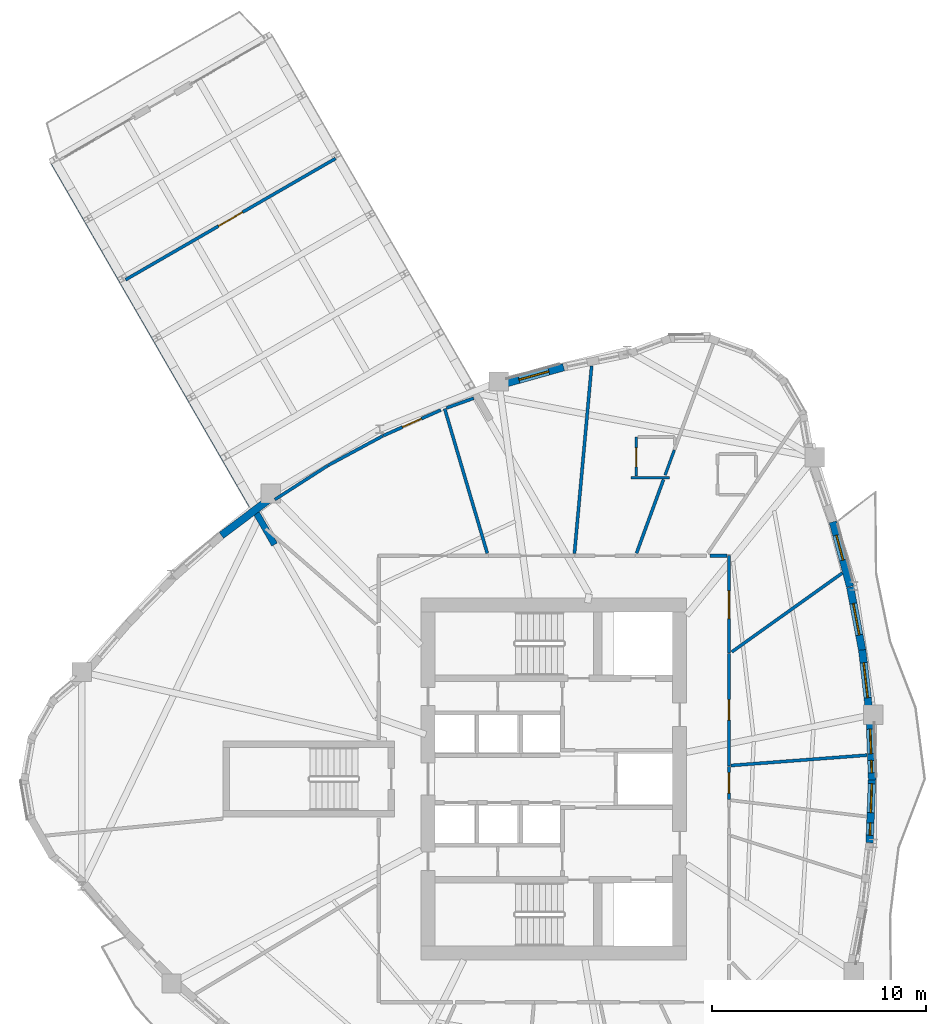
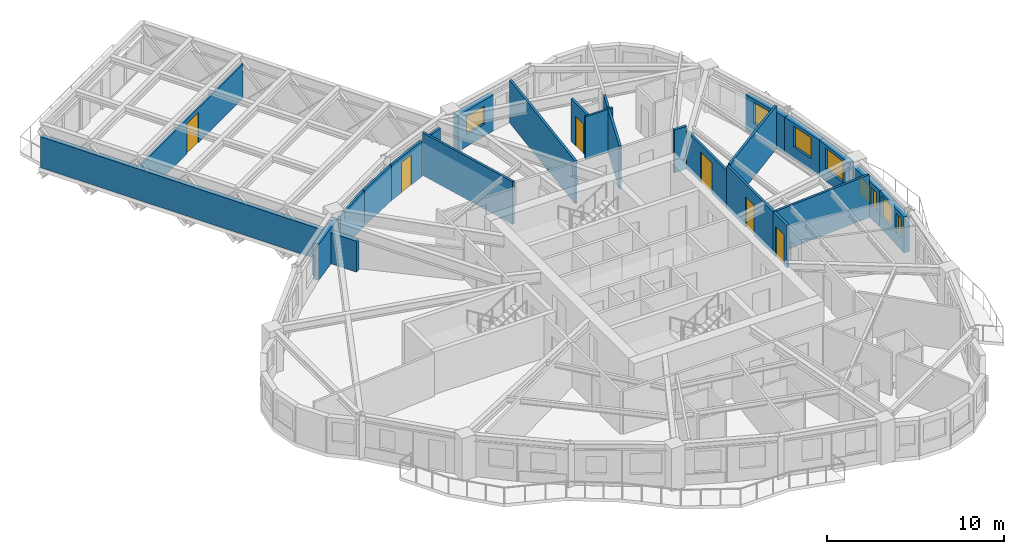
# One storey, part 9 of 14: 25 walls, 8 windows, 6 doors, 14 openings.
"""IFC4 building model written with IfcOpenShell, lengths in metres."""

from ifc_helpers import new_model, si_unit, direction, frame, frame_2d, origin, place, context, subcontext, project, spatial, rectangle, extrude, source, transform, mapped, material, layer, layer_set, type_object, element, fill, save


model = new_model("IFC4")

# Units and contexts
model_context = context("Model", 3, precision=1e-05, world=origin(), true_north=direction((0.0, 1.0)))
body_context = subcontext(model_context, "Body", "Model", "MODEL_VIEW")
ifc_project = project(units=[si_unit("LENGTHUNIT", "METRE"), si_unit("AREAUNIT", "SQUARE_METRE"), si_unit("VOLUMEUNIT", "CUBIC_METRE"), si_unit("PLANEANGLEUNIT", "RADIAN"), si_unit("MASSUNIT", "GRAM", prefix="KILO")], contexts=[model_context])

# Site, building, storey
site_placement = place(None, origin())
site = spatial("IfcSite", under=ifc_project, at=site_placement, CompositionType="ELEMENT")
building_placement = place(site_placement, origin())
building = spatial("IfcBuilding", under=site, at=building_placement, Name="Qafzar Sky-Pleat Residences", CompositionType="ELEMENT")
storey_placement = place(building_placement, frame((0.0, 0.0, 86.39990234375)))
storey = spatial("IfcBuildingStorey", under=building, at=storey_placement, Name="L25", CompositionType="ELEMENT", Elevation=86.39990234375)

# Wall, opening, door
ifc_material_1 = material(Name="Acoustic gypsum plasterboard partition", Category="gypsum")
ifc_layer_1 = layer(ifc_material_1, 0.159912109375)
ifc_layer_set_1 = layer_set([ifc_layer_1], Name="Acoustic gypsum plasterboard partition")
wall_type_1 = type_object("IfcWallType", Name="PART-COR-160", PredefinedType="PARTITIONING", material=ifc_layer_set_1)
wall_1_placement = place(storey_placement, frame((38.530029296875, 31.85595703125, 0.0), z_axis=(0.0, 0.0, 1.0), x_axis=(0.0, -1.0, 0.0)))
wall_1 = element("IfcWall", 1, at=wall_1_placement, inside=storey, type_object=wall_type_1, Name="L25 Partition Wall PART-L25-PW-005", PredefinedType="PARTITIONING", context=body_context, shape_type="SweptSolid", body=[
    extrude(rectangle(XDim=5.2490234375, YDim=0.159912109375, at=frame_2d((2.62451171875, 0.0))), origin(), (0.0, 0.0, 1.0), 2.9501953125),
])
opening_1_placement = place(wall_1_placement, frame((2.14599609375, 0.0, 0.0)))
opening_1 = element("IfcOpeningElement", 2, at=opening_1_placement, cuts=wall_1, Name="Opening ID-06", PredefinedType="OPENING", context=body_context, shape_type="SweptSolid", body=[
    extrude(rectangle(XDim=0.9599609375, YDim=2.10009765625, at=frame_2d((0.47998046875, 1.050048828125))), frame((0.0, 0.08984375, 0.0), z_axis=(0.0, -1.0, 0.0), x_axis=(1.0, 0.0, 0.0)), (0.0, 0.0, 1.0), 0.179931640625),
])
ifc_material_2 = material(Name="Timber-faced fire door", Category="wood")
door_type_1 = type_object("IfcDoorType", Name="DR-STD-960", OperationType="NOTDEFINED", PredefinedType="DOOR", material=ifc_material_2)
shared_shape_1 = source(origin(), body_context, "Body", "SweptSolid", [
    extrude(rectangle(XDim=0.9599609375, YDim=2.10009765625, at=frame_2d((0.47998046875, 1.050048828125))), frame((0.0, 0.02490234375, 0.0), z_axis=(0.0, -1.0, 0.0), x_axis=(1.0, 0.0, 0.0)), (0.0, 0.0, 1.0), 0.050048828125),
])
door_1_placement = place(opening_1_placement, origin())
door_1 = element("IfcDoor", 3, at=door_1_placement, inside=storey, type_object=door_type_1, Name="L25 Graduate Desk Workspace Door", OperationType="SINGLE_SWING_RIGHT", OverallHeight=2.10009765625, OverallWidth=0.9599609375, PredefinedType="DOOR", context=body_context, shape_type="MappedRepresentation", body=[
    mapped(shared_shape_1, transform((0.0, 0.0, 0.0), x_axis=(1.0, 0.0, 0.0), y_axis=(0.0, 1.0, 0.0), z_axis=(0.0, 0.0, 1.0), scale=1.0)),
])
fill(opening_1, door_1)

wall_2_placement = place(storey_placement, frame((38.530029296875, 36.429931640625, 0.0), z_axis=(0.0, 0.0, 1.0), x_axis=(0.0, -1.0, 0.0)))
wall_2 = element("IfcWall", 4, at=wall_2_placement, inside=storey, type_object=wall_type_1, Name="L25 Partition Wall PART-L25-PW-007", PredefinedType="PARTITIONING", context=body_context, shape_type="SweptSolid", body=[
    extrude(rectangle(XDim=4.558837890625, YDim=0.159912109375, at=frame_2d((2.279296875, 0.0))), origin(), (0.0, 0.0, 1.0), 2.588134765625),
])
opening_2_placement = place(wall_2_placement, frame((1.64599609375, 0.0, 0.0)))
opening_2 = element("IfcOpeningElement", 5, at=opening_2_placement, cuts=wall_2, Name="Opening ID-05", PredefinedType="OPENING", context=body_context, shape_type="SweptSolid", body=[
    extrude(rectangle(XDim=1.300048828125, YDim=2.10009765625, at=frame_2d((0.64990234375, 1.050048828125))), frame((0.0, 0.08984375, 0.0), z_axis=(0.0, -1.0, 0.0), x_axis=(1.0, 0.0, 0.0)), (0.0, 0.0, 1.0), 0.179931640625),
])
door_type_2 = type_object("IfcDoorType", Name="DR-LNG-1300", OperationType="DOUBLE_DOOR_SINGLE_SWING", PredefinedType="DOOR", material=ifc_material_2)
shared_shape_2 = source(origin(), body_context, "Body", "SweptSolid", [
    extrude(rectangle(XDim=1.300048828125, YDim=2.10009765625, at=frame_2d((0.64990234375, 1.050048828125))), frame((0.0, 0.02490234375, 0.0), z_axis=(0.0, -1.0, 0.0), x_axis=(1.0, 0.0, 0.0)), (0.0, 0.0, 1.0), 0.050048828125),
])
door_2_placement = place(opening_2_placement, origin())
door_2 = element("IfcDoor", 6, at=door_2_placement, inside=storey, type_object=door_type_2, Name="L25 Communal Kitchen Door", OperationType="DOUBLE_DOOR_SINGLE_SWING", OverallHeight=2.10009765625, OverallWidth=1.300048828125, PredefinedType="DOOR", context=body_context, shape_type="MappedRepresentation", body=[
    mapped(shared_shape_2, transform((0.0, 0.0, 0.0), x_axis=(1.0, 0.0, 0.0), y_axis=(0.0, 1.0, 0.0), z_axis=(0.0, 0.0, 1.0), scale=1.0)),
])
fill(opening_2, door_2)

wall_3_placement = place(storey_placement, frame((38.530029296875, 26.592041015625, 0.0), z_axis=(0.0, 0.0, 1.0), x_axis=(0.0, -1.0, 0.0)))
wall_3 = element("IfcWall", 7, at=wall_3_placement, inside=storey, type_object=wall_type_1, Name="L25 Partition Wall PART-L25-PW-024", PredefinedType="PARTITIONING", context=body_context, shape_type="SweptSolid", body=[
    extrude(rectangle(XDim=1.544921875, YDim=0.159912109375, at=frame_2d((0.7724609375, 0.0))), origin(), (0.0, 0.0, 1.0), 2.9501953125),
])
opening_3_placement = place(wall_3_placement, frame((0.29248046875, 0.0, 0.0)))
opening_3 = element("IfcOpeningElement", 8, at=opening_3_placement, cuts=wall_3, Name="Opening ID-06", PredefinedType="OPENING", context=body_context, shape_type="SweptSolid", body=[
    extrude(rectangle(XDim=0.9599609375, YDim=2.10009765625, at=frame_2d((0.47998046875, 1.050048828125))), frame((0.0, 0.08984375, 0.0), z_axis=(0.0, -1.0, 0.0), x_axis=(1.0, 0.0, 0.0)), (0.0, 0.0, 1.0), 0.179931640625),
])
door_3_placement = place(opening_3_placement, origin())
door_3 = element("IfcDoor", 9, at=door_3_placement, inside=storey, type_object=door_type_1, Name="L25 Scholar Study Room Door", OperationType="SINGLE_SWING_RIGHT", OverallHeight=2.10009765625, OverallWidth=0.9599609375, PredefinedType="DOOR", context=body_context, shape_type="MappedRepresentation", body=[
    mapped(shared_shape_1, transform((0.0, 0.0, 0.0), x_axis=(1.0, 0.0, 0.0), y_axis=(0.0, 1.0, 0.0), z_axis=(0.0, 0.0, 1.0), scale=1.0)),
])
fill(opening_3, door_3)

# Wall
wall_4_placement = place(storey_placement, frame((37.63720703125, 36.429931640625, 0.0), z_axis=(0.0, 0.0, 1.0), x_axis=(1.0, 0.0, 0.0)))
element("IfcWall", 10, at=wall_4_placement, inside=storey, type_object=wall_type_1, Name="L25 Partition Wall PART-L25-PW-068", PredefinedType="PARTITIONING", context=body_context, shape_type="SweptSolid", body=[
    extrude(rectangle(XDim=0.8046875, YDim=0.159912109375, at=frame_2d((0.40234375, 0.0))), origin(), (0.0, 0.0, 1.0), 2.9501953125),
])

# Wall, opening, door
ifc_layer_2 = layer(ifc_material_1, 0.14501953125)
ifc_layer_set_2 = layer_set([ifc_layer_2], Name="Acoustic gypsum plasterboard partition")
wall_type_2 = type_object("IfcWallType", Name="PART-UNIT-145", PredefinedType="PARTITIONING", material=ifc_layer_set_2)
wall_5_placement = place(storey_placement, frame((10.352783203125, 49.31201171875, 0.0), z_axis=(0.0, 0.0, 1.0), x_axis=(0.866036235619, 0.499981238243, 0.0)))
wall_5 = element("IfcWall", 11, at=wall_5_placement, inside=storey, type_object=wall_type_2, Name="L25 Partition Wall PART-L25-PW-001", PredefinedType="PARTITIONING", context=body_context, shape_type="SweptSolid", body=[
    extrude(rectangle(XDim=11.32421875, YDim=0.14501953125, at=frame_2d((5.662109375, 0.0))), origin(), (0.0, 0.0, 1.0), 2.383056640625),
])
opening_4_placement = place(wall_5_placement, frame((5.01220703125, 0.0, 0.0)))
opening_4 = element("IfcOpeningElement", 12, at=opening_4_placement, cuts=wall_5, Name="Opening ID-05", PredefinedType="OPENING", context=body_context, shape_type="SweptSolid", body=[
    extrude(rectangle(XDim=1.300048828125, YDim=2.10009765625, at=frame_2d((0.64990234375, 1.050048828125))), frame((0.0, 0.08251953125, 0.0), z_axis=(0.0, -1.0, 0.0), x_axis=(1.0, 0.0, 0.0)), (0.0, 0.0, 1.0), 0.1650390625),
])
door_4_placement = place(opening_4_placement, origin())
door_4 = element("IfcDoor", 13, at=door_4_placement, inside=storey, type_object=door_type_2, Name="L25 Panorama Sky Lounge Door", OperationType="DOUBLE_DOOR_SINGLE_SWING", OverallHeight=2.10009765625, OverallWidth=1.300048828125, PredefinedType="DOOR", context=body_context, shape_type="MappedRepresentation", body=[
    mapped(shared_shape_2, transform((0.0, 0.0, 0.0), x_axis=(1.0, 0.0, 0.0), y_axis=(0.0, 1.0, 0.0), z_axis=(0.0, 0.0, 1.0), scale=1.0)),
])
fill(opening_4, door_4)

wall_6_placement = place(storey_placement, frame((22.376953125, 42.02587890625, 0.0), z_axis=(0.0, 0.0, 1.0), x_axis=(0.913387960111, 0.407090204162, 0.0)))
wall_6 = element("IfcWall", 14, at=wall_6_placement, inside=storey, type_object=wall_type_2, Name="L25 Partition Wall PART-L25-PW-014", PredefinedType="PARTITIONING", context=body_context, shape_type="SweptSolid", body=[
    extrude(rectangle(XDim=2.95068359375, YDim=0.14501953125, at=frame_2d((1.475341796875, 0.0))), origin(), (0.0, 0.0, 1.0), 2.468017578125),
])
opening_5_placement = place(wall_6_placement, frame((0.9951171875, 0.0, 0.0)))
opening_5 = element("IfcOpeningElement", 15, at=opening_5_placement, cuts=wall_6, Name="Opening ID-06", PredefinedType="OPENING", context=body_context, shape_type="SweptSolid", body=[
    extrude(rectangle(XDim=0.9599609375, YDim=2.10009765625, at=frame_2d((0.47998046875, 1.050048828125))), frame((0.0, 0.08251953125, 0.0), z_axis=(0.0, -1.0, 0.0), x_axis=(1.0, 0.0, 0.0)), (0.0, 0.0, 1.0), 0.1650390625),
])
door_5_placement = place(opening_5_placement, origin())
door_5 = element("IfcDoor", 16, at=door_5_placement, inside=storey, type_object=door_type_1, Name="L25 Sky-Bar Reading Library Door", OperationType="SINGLE_SWING_RIGHT", OverallHeight=2.10009765625, OverallWidth=0.9599609375, PredefinedType="DOOR", context=body_context, shape_type="MappedRepresentation", body=[
    mapped(shared_shape_1, transform((0.0, 0.0, 0.0), x_axis=(1.0, 0.0, 0.0), y_axis=(0.0, 1.0, 0.0), z_axis=(0.0, 0.0, 1.0), scale=1.0)),
])
fill(opening_5, door_5)

# Walls
wall_7_placement = place(storey_placement, frame((31.313720703125, 36.524658203125, 0.0), z_axis=(0.0, 0.0, 1.0), x_axis=(0.091226381691, 0.995830179942, 0.0)))
element("IfcWall", 17, at=wall_7_placement, inside=storey, type_object=wall_type_2, Name="L25 Partition Wall PART-L25-PW-026", PredefinedType="PARTITIONING", context=body_context, shape_type="SweptSolid", body=[
    extrude(rectangle(XDim=8.796630859375, YDim=0.14501953125, at=frame_2d((4.3984375, 0.0))), origin(), (0.0, 0.0, 1.0), 2.9501953125),
])
wall_8_placement = place(storey_placement, frame((25.25390625, 43.2919921875, 0.0), z_axis=(0.0, 0.0, 1.0), x_axis=(0.282661880608, -0.959219610543, 0.0)))
element("IfcWall", 18, at=wall_8_placement, inside=storey, type_object=wall_type_2, Name="L25 Partition Wall PART-L25-PW-030", PredefinedType="PARTITIONING", context=body_context, shape_type="SweptSolid", body=[
    extrude(rectangle(XDim=7.041015625, YDim=0.14501953125, at=frame_2d((3.5205078125, 0.0))), origin(), (0.0, 0.0, 1.0), 2.9501953125),
])
wall_9_placement = place(storey_placement, frame((38.65869140625, 31.9296875, 0.0), z_axis=(0.0, 0.0, 1.0), x_axis=(0.813936175568, 0.580954302938, 0.0)))
element("IfcWall", 19, at=wall_9_placement, inside=storey, type_object=wall_type_2, Name="L25 Partition Wall PART-L25-PW-032", PredefinedType="PARTITIONING", context=body_context, shape_type="SweptSolid", body=[
    extrude(rectangle(XDim=6.345947265625, YDim=0.14501953125, at=frame_2d((3.1728515625, 0.0))), origin(), (0.0, 0.0, 1.0), 2.9501953125),
])
wall_10_placement = place(storey_placement, frame((38.62353515625, 26.629150390625, 0.0), z_axis=(0.0, 0.0, 1.0), x_axis=(0.997137880159, 0.075604549805, 0.0)))
element("IfcWall", 20, at=wall_10_placement, inside=storey, type_object=wall_type_2, Name="L25 Partition Wall PART-L25-PW-035", PredefinedType="PARTITIONING", context=body_context, shape_type="SweptSolid", body=[
    extrude(rectangle(XDim=6.377685546875, YDim=0.14501953125, at=frame_2d((3.18896484375, 0.0))), origin(), (0.0, 0.0, 1.0), 2.9501953125),
])
wall_11_placement = place(storey_placement, frame((34.213134765625, 36.54248046875, 0.0), z_axis=(0.0, 0.0, 1.0), x_axis=(0.343978558693, 0.93897750301, 0.0)))
element("IfcWall", 21, at=wall_11_placement, inside=storey, type_object=wall_type_2, Name="L25 Partition Wall PART-L25-PW-041", PredefinedType="PARTITIONING", context=body_context, shape_type="SweptSolid", body=[
    extrude(rectangle(XDim=3.663818359375, YDim=0.14501953125, at=frame_2d((1.83203125, 0.0))), origin(), (0.0, 0.0, 1.0), 2.9501953125),
])
wall_12_placement = place(storey_placement, frame((17.325927734375, 39.048095703125, 0.0), z_axis=(0.0, 0.0, 1.0), x_axis=(0.841527071554, 0.540214945963, 0.0)))
element("IfcWall", 22, at=wall_12_placement, inside=storey, type_object=wall_type_2, Name="L25 Partition Wall PART-L25-PW-047", PredefinedType="PARTITIONING", context=body_context, shape_type="SweptSolid", body=[
    extrude(rectangle(XDim=2.933837890625, YDim=0.14501953125, at=frame_2d((1.466796875, 0.0))), origin(), (0.0, 0.0, 1.0), 2.468017578125),
])
wall_13_placement = place(storey_placement, frame((19.80810546875, 40.64013671875, 0.0), z_axis=(0.0, 0.0, 1.0), x_axis=(0.880106382364, 0.474776532404, 0.0)))
element("IfcWall", 23, at=wall_13_placement, inside=storey, type_object=wall_type_2, Name="L25 Partition Wall PART-L25-PW-048", PredefinedType="PARTITIONING", context=body_context, shape_type="SweptSolid", body=[
    extrude(rectangle(XDim=2.90380859375, YDim=0.14501953125, at=frame_2d((1.451904296875, 0.0))), origin(), (0.0, 0.0, 1.0), 2.468017578125),
])
wall_14_placement = place(storey_placement, frame((25.333984375, 43.32080078125, 0.0), z_axis=(0.0, 0.0, 1.0), x_axis=(0.940956330278, 0.3385279671, 0.0)))
element("IfcWall", 24, at=wall_14_placement, inside=storey, type_object=wall_type_2, Name="L25 Partition Wall PART-L25-PW-064", PredefinedType="PARTITIONING", context=body_context, shape_type="SweptSolid", body=[
    extrude(rectangle(XDim=1.3544921875, YDim=0.14501953125, at=frame_2d((0.67724609375, 0.0))), origin(), (0.0, 0.0, 1.0), 2.468017578125),
])

# Wall, opening, door
ifc_material_3 = material(Name="Moisture-resistant gypsum partition", Category="gypsum")
ifc_layer_3 = layer(ifc_material_3, 0.1298828125)
ifc_layer_set_3 = layer_set([ifc_layer_3], Name="Moisture-resistant gypsum partition")
wall_type_3 = type_object("IfcWallType", Name="PART-WET-130", PredefinedType="PARTITIONING", material=ifc_layer_set_3)
wall_15_placement = place(storey_placement, frame((34.197998046875, 41.965087890625, 0.0), z_axis=(0.0, 0.0, 1.0), x_axis=(0.0, -1.0, 0.0)))
wall_15 = element("IfcWall", 25, at=wall_15_placement, inside=storey, type_object=wall_type_3, Name="L25 Partition Wall PART-L25-PW-017", PredefinedType="PARTITIONING", context=body_context, shape_type="SweptSolid", body=[
    extrude(rectangle(XDim=1.8271484375, YDim=0.1298828125, at=frame_2d((0.91357421875, 0.0))), origin(), (0.0, 0.0, 1.0), 2.9501953125),
])
opening_6_placement = place(wall_15_placement, frame((0.510009765625, 0.0, 0.0)))
opening_6 = element("IfcOpeningElement", 26, at=opening_6_placement, cuts=wall_15, Name="Opening ID-07", PredefinedType="OPENING", context=body_context, shape_type="SweptSolid", body=[
    extrude(rectangle(XDim=0.8798828125, YDim=2.050048828125, at=frame_2d((0.43994140625, 1.02490234375))), frame((0.0, 0.074951171875, 0.0), z_axis=(0.0, -1.0, 0.0), x_axis=(1.0, 0.0, 0.0)), (0.0, 0.0, 1.0), 0.14990234375),
])
door_type_3 = type_object("IfcDoorType", Name="DR-WET-880", OperationType="NOTDEFINED", PredefinedType="DOOR", material=ifc_material_2)
shared_shape_3 = source(origin(), body_context, "Body", "SweptSolid", [
    extrude(rectangle(XDim=0.8798828125, YDim=2.050048828125, at=frame_2d((0.43994140625, 1.02490234375))), frame((0.0, 0.02490234375, 0.0), z_axis=(0.0, -1.0, 0.0), x_axis=(1.0, 0.0, 0.0)), (0.0, 0.0, 1.0), 0.050048828125),
])
door_6_placement = place(opening_6_placement, origin())
door_6 = element("IfcDoor", 27, at=door_6_placement, inside=storey, type_object=door_type_3, Name="L25 En-suite Bathroom 6 Door", OperationType="SINGLE_SWING_LEFT", OverallHeight=2.050048828125, OverallWidth=0.8798828125, PredefinedType="DOOR", context=body_context, shape_type="MappedRepresentation", body=[
    mapped(shared_shape_3, transform((0.0, 0.0, 0.0), x_axis=(1.0, 0.0, 0.0), y_axis=(0.0, 1.0, 0.0), z_axis=(0.0, 0.0, 1.0), scale=1.0)),
])
fill(opening_6, door_6)

# Walls
wall_16_placement = place(storey_placement, frame((35.549072265625, 40.18896484375, 0.0), z_axis=(0.0, 0.0, 1.0), x_axis=(0.344070409158, 0.938943850048, 0.0)))
element("IfcWall", 28, at=wall_16_placement, inside=storey, type_object=wall_type_3, Name="L25 Partition Wall PART-L25-PW-063", PredefinedType="PARTITIONING", context=body_context, shape_type="SweptSolid", body=[
    extrude(rectangle(XDim=1.24609375, YDim=0.1298828125, at=frame_2d((0.623046875, 0.0))), origin(), (0.0, 0.0, 1.0), 2.9501953125),
])
wall_17_placement = place(storey_placement, frame((33.9580078125, 40.06494140625, 0.0), z_axis=(0.0, 0.0, 1.0), x_axis=(1.0, 0.0, 0.0)))
element("IfcWall", 29, at=wall_17_placement, inside=storey, type_object=wall_type_3, Name="L25 Partition Wall PART-L25-PW-065", PredefinedType="PARTITIONING", context=body_context, shape_type="SweptSolid", body=[
    extrude(rectangle(XDim=1.785888671875, YDim=0.1298828125, at=frame_2d((0.89306640625, 0.0))), origin(), (0.0, 0.0, 1.0), 2.9501953125),
])
ifc_material_4 = material(Name="Precast concrete C40/50 with honed Riyadh limestone", Category="concrete")
ifc_layer_4 = layer(ifc_material_4, 0.300048828125)
ifc_layer_set_4 = layer_set([ifc_layer_4], Name="Precast concrete C40/50 with honed Riyadh limestone")
wall_type_4 = type_object("IfcWallType", Name="WALL-EXT-300", PredefinedType="SOLIDWALL", material=ifc_layer_set_4)
wall_18_placement = place(storey_placement, frame((17.309814453125, 36.9462890625, 0.0), z_axis=(0.0, 0.0, 1.0), x_axis=(-0.499999403898, 0.866025747944, 0.0)))
element("IfcWall", 30, at=wall_18_placement, inside=storey, type_object=wall_type_4, Name="L25 SB-2 Side Spandrel Wall L", PredefinedType="SOLIDWALL", context=body_context, shape_type="SweptSolid", body=[
    extrude(rectangle(XDim=20.60302734375, YDim=0.300048828125, at=frame_2d((10.301513671875, 0.0))), origin(), (0.0, 0.0, 1.0), 2.130126953125),
])

# Wall, openings, windows
ifc_layer_5 = layer(ifc_material_4, 0.35009765625)
ifc_layer_set_5 = layer_set([ifc_layer_5], Name="Precast concrete C40/50 with honed Riyadh limestone")
wall_type_5 = type_object("IfcWallType", Name="WALL-EXT-350", PredefinedType="SOLIDWALL", material=ifc_layer_set_5)
wall_19_placement = place(storey_placement, frame((45.097900390625, 23.022705078125, 0.0), z_axis=(0.0, 0.0, 1.0), x_axis=(0.037943250197, 0.999279895607, 0.0)))
wall_19 = element("IfcWall", 31, at=wall_19_placement, inside=storey, type_object=wall_type_5, Name="L25 Limestone Facade Wall 27", PredefinedType="SOLIDWALL", context=body_context, shape_type="SweptSolid", body=[
    extrude(rectangle(XDim=3.024169921875, YDim=0.35009765625, at=frame_2d((1.51220703125, 0.0))), origin(), (0.0, 0.0, 1.0), 2.47998046875),
])
opening_7_placement = place(wall_19_placement, frame((0.346435546875, 0.0, 0.820068359375)))
opening_7 = element("IfcOpeningElement", 32, at=opening_7_placement, cuts=wall_19, Name="Opening WN-17", PredefinedType="OPENING", context=body_context, shape_type="SweptSolid", body=[
    extrude(rectangle(XDim=0.580078125, YDim=1.35009765625, at=frame_2d((0.2900390625, 0.675048828125))), frame((0.0, 0.18505859375, 0.0), z_axis=(0.0, -1.0, 0.0), x_axis=(1.0, 0.0, 0.0)), (0.0, 0.0, 1.0), 0.3701171875),
])
opening_8_placement = place(wall_19_placement, frame((1.403564453125, 0.0, 0.820068359375)))
opening_8 = element("IfcOpeningElement", 33, at=opening_8_placement, cuts=wall_19, Name="Opening WN-04", PredefinedType="OPENING", context=body_context, shape_type="SweptSolid", body=[
    extrude(rectangle(XDim=1.35009765625, YDim=1.449951171875, at=frame_2d((0.675048828125, 0.72509765625))), frame((0.0, 0.18505859375, 0.0), z_axis=(0.0, -1.0, 0.0), x_axis=(1.0, 0.0, 0.0)), (0.0, 0.0, 1.0), 0.3701171875),
])
ifc_material_5 = material(Name="Solar-control low-E glass in bronze aluminium frame", Category="glass")
window_type_1 = type_object("IfcWindowType", Name="WIN-17", PartitioningType="SINGLE_PANEL", PredefinedType="WINDOW", material=ifc_material_5)
shared_shape_4 = source(origin(), body_context, "Body", "SweptSolid", [
    extrude(rectangle(XDim=0.580078125, YDim=1.35009765625, at=frame_2d((0.2900390625, 0.675048828125))), frame((0.0, 0.030029296875, 0.0), z_axis=(0.0, -1.0, 0.0), x_axis=(1.0, 0.0, 0.0)), (0.0, 0.0, 1.0), 0.06005859375),
])
window_1_placement = place(opening_7_placement, origin())
window_1 = element("IfcWindow", 34, at=window_1_placement, inside=storey, type_object=window_type_1, Name="L25 Punched Facade Window 27", OverallHeight=1.35009765625, OverallWidth=0.580078125, PartitioningType="SINGLE_PANEL", PredefinedType="WINDOW", context=body_context, shape_type="MappedRepresentation", body=[
    mapped(shared_shape_4, transform((0.0, 0.0, 0.0), x_axis=(1.0, 0.0, 0.0), y_axis=(0.0, 1.0, 0.0), z_axis=(0.0, 0.0, 1.0), scale=1.0)),
])
fill(opening_7, window_1)
window_type_2 = type_object("IfcWindowType", Name="WIN-04", PartitioningType="SINGLE_PANEL", PredefinedType="WINDOW", material=ifc_material_5)
shared_shape_5 = source(origin(), body_context, "Body", "SweptSolid", [
    extrude(rectangle(XDim=1.35009765625, YDim=1.449951171875, at=frame_2d((0.675048828125, 0.72509765625))), frame((0.0, 0.030029296875, 0.0), z_axis=(0.0, -1.0, 0.0), x_axis=(1.0, 0.0, 0.0)), (0.0, 0.0, 1.0), 0.06005859375),
])
window_2_placement = place(opening_8_placement, origin())
window_2 = element("IfcWindow", 35, at=window_2_placement, inside=storey, type_object=window_type_2, Name="L25 Punched Facade Window 27-2", OverallHeight=1.449951171875, OverallWidth=1.35009765625, PartitioningType="SINGLE_PANEL", PredefinedType="WINDOW", context=body_context, shape_type="MappedRepresentation", body=[
    mapped(shared_shape_5, transform((0.0, 0.0, 0.0), x_axis=(1.0, 0.0, 0.0), y_axis=(0.0, 1.0, 0.0), z_axis=(0.0, 0.0, 1.0), scale=1.0)),
])
fill(opening_8, window_2)

wall_20_placement = place(storey_placement, frame((45.212646484375, 25.955322265625, 0.0), z_axis=(0.0, 0.0, 1.0), x_axis=(-0.037934195255, 0.999280239388, 0.0)))
wall_20 = element("IfcWall", 36, at=wall_20_placement, inside=storey, type_object=wall_type_5, Name="L25 Limestone Facade Wall 28", PredefinedType="SOLIDWALL", context=body_context, shape_type="SweptSolid", body=[
    extrude(rectangle(XDim=2.81884765625, YDim=0.35009765625, at=frame_2d((1.409423828125, 0.0))), origin(), (0.0, 0.0, 1.0), 2.47998046875),
])
opening_9_placement = place(wall_20_placement, frame((0.332275390625, 0.0, 0.820068359375)))
opening_9 = element("IfcOpeningElement", 37, at=opening_9_placement, cuts=wall_20, Name="Opening WN-17", PredefinedType="OPENING", context=body_context, shape_type="SweptSolid", body=[
    extrude(rectangle(XDim=0.580078125, YDim=1.35009765625, at=frame_2d((0.2900390625, 0.675048828125))), frame((0.0, 0.18505859375, 0.0), z_axis=(0.0, -1.0, 0.0), x_axis=(1.0, 0.0, 0.0)), (0.0, 0.0, 1.0), 0.3701171875),
])
opening_10_placement = place(wall_20_placement, frame((1.221923828125, 0.0, 0.820068359375)))
opening_10 = element("IfcOpeningElement", 38, at=opening_10_placement, cuts=wall_20, Name="Opening WN-16", PredefinedType="OPENING", context=body_context, shape_type="SweptSolid", body=[
    extrude(rectangle(XDim=1.14990234375, YDim=1.199951171875, at=frame_2d((0.574951171875, 0.60009765625))), frame((0.0, 0.18505859375, 0.0), z_axis=(0.0, -1.0, 0.0), x_axis=(1.0, 0.0, 0.0)), (0.0, 0.0, 1.0), 0.3701171875),
])
window_3_placement = place(opening_9_placement, origin())
window_3 = element("IfcWindow", 39, at=window_3_placement, inside=storey, type_object=window_type_1, Name="L25 Punched Facade Window 28", OverallHeight=1.35009765625, OverallWidth=0.580078125, PartitioningType="SINGLE_PANEL", PredefinedType="WINDOW", context=body_context, shape_type="MappedRepresentation", body=[
    mapped(shared_shape_4, transform((0.0, 0.0, 0.0), x_axis=(1.0, 0.0, 0.0), y_axis=(0.0, 1.0, 0.0), z_axis=(0.0, 0.0, 1.0), scale=1.0)),
])
fill(opening_9, window_3)
window_type_3 = type_object("IfcWindowType", Name="WIN-16", PartitioningType="SINGLE_PANEL", PredefinedType="WINDOW", material=ifc_material_5)
shared_shape_6 = source(origin(), body_context, "Body", "SweptSolid", [
    extrude(rectangle(XDim=1.14990234375, YDim=1.199951171875, at=frame_2d((0.574951171875, 0.60009765625))), frame((0.0, 0.030029296875, 0.0), z_axis=(0.0, -1.0, 0.0), x_axis=(1.0, 0.0, 0.0)), (0.0, 0.0, 1.0), 0.06005859375),
])
window_4_placement = place(opening_10_placement, origin())
window_4 = element("IfcWindow", 40, at=window_4_placement, inside=storey, type_object=window_type_3, Name="L25 Punched Facade Window 28-2", OverallHeight=1.199951171875, OverallWidth=1.14990234375, PartitioningType="SINGLE_PANEL", PredefinedType="WINDOW", context=body_context, shape_type="MappedRepresentation", body=[
    mapped(shared_shape_6, transform((0.0, 0.0, 0.0), x_axis=(1.0, 0.0, 0.0), y_axis=(0.0, 1.0, 0.0), z_axis=(0.0, 0.0, 1.0), scale=1.0)),
])
fill(opening_10, window_4)

# Wall, opening, window
wall_21_placement = place(storey_placement, frame((45.072509765625, 29.20751953125, 0.0), z_axis=(0.0, 0.0, 1.0), x_axis=(-0.113284386302, 0.993562603876, 0.0)))
wall_21 = element("IfcWall", 41, at=wall_21_placement, inside=storey, type_object=wall_type_5, Name="L25 Limestone Facade Wall 29", PredefinedType="SOLIDWALL", context=body_context, shape_type="SweptSolid", body=[
    extrude(rectangle(XDim=2.836181640625, YDim=0.35009765625, at=frame_2d((1.41796875, 0.0))), origin(), (0.0, 0.0, 1.0), 2.47998046875),
])
opening_11_placement = place(wall_21_placement, frame((0.588134765625, 0.0, 0.820068359375)))
opening_11 = element("IfcOpeningElement", 42, at=opening_11_placement, cuts=wall_21, Name="Opening WN-02", PredefinedType="OPENING", context=body_context, shape_type="SweptSolid", body=[
    extrude(rectangle(XDim=1.64990234375, YDim=1.449951171875, at=frame_2d((0.824951171875, 0.72509765625))), frame((0.0, 0.18505859375, 0.0), z_axis=(0.0, -1.0, 0.0), x_axis=(1.0, 0.0, 0.0)), (0.0, 0.0, 1.0), 0.3701171875),
])
window_type_4 = type_object("IfcWindowType", Name="WIN-02", PartitioningType="DOUBLE_PANEL_VERTICAL", PredefinedType="WINDOW", material=ifc_material_5)
shared_shape_7 = source(origin(), body_context, "Body", "SweptSolid", [
    extrude(rectangle(XDim=1.64990234375, YDim=1.449951171875, at=frame_2d((0.824951171875, 0.72509765625))), frame((0.0, 0.030029296875, 0.0), z_axis=(0.0, -1.0, 0.0), x_axis=(1.0, 0.0, 0.0)), (0.0, 0.0, 1.0), 0.06005859375),
])
window_5_placement = place(opening_11_placement, origin())
window_5 = element("IfcWindow", 43, at=window_5_placement, inside=storey, type_object=window_type_4, Name="L25 Punched Facade Window 29", OverallHeight=1.449951171875, OverallWidth=1.64990234375, PartitioningType="SINGLE_PANEL", PredefinedType="WINDOW", context=body_context, shape_type="MappedRepresentation", body=[
    mapped(shared_shape_7, transform((0.0, 0.0, 0.0), x_axis=(1.0, 0.0, 0.0), y_axis=(0.0, 1.0, 0.0), z_axis=(0.0, 0.0, 1.0), scale=1.0)),
])
fill(opening_11, window_5)

wall_22_placement = place(storey_placement, frame((44.7646484375, 31.9375, 0.0), z_axis=(0.0, 0.0, 1.0), x_axis=(-0.186626934631, 0.982430856229, 0.0)))
wall_22 = element("IfcWall", 44, at=wall_22_placement, inside=storey, type_object=wall_type_5, Name="L25 Limestone Facade Wall 30", PredefinedType="SOLIDWALL", context=body_context, shape_type="SweptSolid", body=[
    extrude(rectangle(XDim=3.075439453125, YDim=0.35009765625, at=frame_2d((1.53759765625, 0.0))), origin(), (0.0, 0.0, 1.0), 2.47998046875),
])
opening_12_placement = place(wall_22_placement, frame((0.7978515625, 0.0, 0.820068359375)))
opening_12 = element("IfcOpeningElement", 45, at=opening_12_placement, cuts=wall_22, Name="Opening WN-03", PredefinedType="OPENING", context=body_context, shape_type="SweptSolid", body=[
    extrude(rectangle(XDim=1.5, YDim=1.449951171875, at=frame_2d((0.75, 0.72509765625))), frame((0.0, 0.18505859375, 0.0), z_axis=(0.0, -1.0, 0.0), x_axis=(1.0, 0.0, 0.0)), (0.0, 0.0, 1.0), 0.3701171875),
])
window_type_5 = type_object("IfcWindowType", Name="WIN-03", PartitioningType="DOUBLE_PANEL_VERTICAL", PredefinedType="WINDOW", material=ifc_material_5)
shared_shape_8 = source(origin(), body_context, "Body", "SweptSolid", [
    extrude(rectangle(XDim=1.5, YDim=1.449951171875, at=frame_2d((0.75, 0.72509765625))), frame((0.0, 0.030029296875, 0.0), z_axis=(0.0, -1.0, 0.0), x_axis=(1.0, 0.0, 0.0)), (0.0, 0.0, 1.0), 0.06005859375),
])
window_6_placement = place(opening_12_placement, origin())
window_6 = element("IfcWindow", 46, at=window_6_placement, inside=storey, type_object=window_type_5, Name="L25 Punched Facade Window 30", OverallHeight=1.449951171875, OverallWidth=1.5, PartitioningType="SINGLE_PANEL", PredefinedType="WINDOW", context=body_context, shape_type="MappedRepresentation", body=[
    mapped(shared_shape_8, transform((0.0, 0.0, 0.0), x_axis=(1.0, 0.0, 0.0), y_axis=(0.0, 1.0, 0.0), z_axis=(0.0, 0.0, 1.0), scale=1.0)),
])
fill(opening_12, window_6)

wall_23_placement = place(storey_placement, frame((44.1845703125, 34.985595703125, 0.0), z_axis=(0.0, 0.0, 1.0), x_axis=(-0.257079342779, 0.966390299784, 0.0)))
wall_23 = element("IfcWall", 47, at=wall_23_placement, inside=storey, type_object=wall_type_5, Name="L25 Limestone Facade Wall 31", PredefinedType="SOLIDWALL", context=body_context, shape_type="SweptSolid", body=[
    extrude(rectangle(XDim=3.126220703125, YDim=0.35009765625, at=frame_2d((1.56298828125, 0.0))), origin(), (0.0, 0.0, 1.0), 2.47998046875),
])
opening_13_placement = place(wall_23_placement, frame((1.2783203125, 0.0, 0.820068359375)))
opening_13 = element("IfcOpeningElement", 48, at=opening_13_placement, cuts=wall_23, Name="Opening WN-05", PredefinedType="OPENING", context=body_context, shape_type="SweptSolid", body=[
    extrude(rectangle(XDim=1.199951171875, YDim=1.449951171875, at=frame_2d((0.60009765625, 0.72509765625))), frame((0.0, 0.18505859375, 0.0), z_axis=(0.0, -1.0, 0.0), x_axis=(1.0, 0.0, 0.0)), (0.0, 0.0, 1.0), 0.3701171875),
])
window_type_6 = type_object("IfcWindowType", Name="WIN-05", PartitioningType="SINGLE_PANEL", PredefinedType="WINDOW", material=ifc_material_5)
shared_shape_9 = source(origin(), body_context, "Body", "SweptSolid", [
    extrude(rectangle(XDim=1.199951171875, YDim=1.449951171875, at=frame_2d((0.60009765625, 0.72509765625))), frame((0.0, 0.030029296875, 0.0), z_axis=(0.0, -1.0, 0.0), x_axis=(1.0, 0.0, 0.0)), (0.0, 0.0, 1.0), 0.06005859375),
])
window_7_placement = place(opening_13_placement, origin())
window_7 = element("IfcWindow", 49, at=window_7_placement, inside=storey, type_object=window_type_6, Name="L25 Punched Facade Window 31-2", OverallHeight=1.449951171875, OverallWidth=1.199951171875, PartitioningType="SINGLE_PANEL", PredefinedType="WINDOW", context=body_context, shape_type="MappedRepresentation", body=[
    mapped(shared_shape_9, transform((0.0, 0.0, 0.0), x_axis=(1.0, 0.0, 0.0), y_axis=(0.0, 1.0, 0.0), z_axis=(0.0, 0.0, 1.0), scale=1.0)),
])
fill(opening_13, window_7)

wall_24_placement = place(storey_placement, frame((30.809326171875, 45.2265625, 0.0), z_axis=(0.0, 0.0, 1.0), x_axis=(-0.963041637143, -0.269352566591, 0.0)))
wall_24 = element("IfcWall", 50, at=wall_24_placement, inside=storey, type_object=wall_type_5, Name="L25 Limestone Facade Wall 40", PredefinedType="SOLIDWALL", context=body_context, shape_type="SweptSolid", body=[
    extrude(rectangle(XDim=2.873291015625, YDim=0.35009765625, at=frame_2d((1.4365234375, 0.0))), origin(), (0.0, 0.0, 1.0), 2.47998046875),
])
opening_14_placement = place(wall_24_placement, frame((0.716552734375, 0.0, 0.820068359375)))
opening_14 = element("IfcOpeningElement", 51, at=opening_14_placement, cuts=wall_24, Name="Opening WN-15", PredefinedType="OPENING", context=body_context, shape_type="SweptSolid", body=[
    extrude(rectangle(XDim=1.449951171875, YDim=1.25, at=frame_2d((0.72509765625, 0.625))), frame((0.0, 0.18505859375, 0.0), z_axis=(0.0, -1.0, 0.0), x_axis=(1.0, 0.0, 0.0)), (0.0, 0.0, 1.0), 0.3701171875),
])
window_type_7 = type_object("IfcWindowType", Name="WIN-15", PartitioningType="SINGLE_PANEL", PredefinedType="WINDOW", material=ifc_material_5)
shared_shape_10 = source(origin(), body_context, "Body", "SweptSolid", [
    extrude(rectangle(XDim=1.449951171875, YDim=1.25, at=frame_2d((0.72509765625, 0.625))), frame((0.0, 0.030029296875, 0.0), z_axis=(0.0, -1.0, 0.0), x_axis=(1.0, 0.0, 0.0)), (0.0, 0.0, 1.0), 0.06005859375),
])
window_8_placement = place(opening_14_placement, origin())
window_8 = element("IfcWindow", 52, at=window_8_placement, inside=storey, type_object=window_type_7, Name="L25 Punched Facade Window 40", OverallHeight=1.25, OverallWidth=1.449951171875, PartitioningType="SINGLE_PANEL", PredefinedType="WINDOW", context=body_context, shape_type="MappedRepresentation", body=[
    mapped(shared_shape_10, transform((0.0, 0.0, 0.0), x_axis=(1.0, 0.0, 0.0), y_axis=(0.0, 1.0, 0.0), z_axis=(0.0, 0.0, 1.0), scale=1.0)),
])
fill(opening_14, window_8)

# Wall
wall_25_placement = place(storey_placement, frame((17.056884765625, 39.05224609375, 0.0), z_axis=(0.0, 0.0, 1.0), x_axis=(-0.798379678642, -0.602154372841, 0.0)))
element("IfcWall", 53, at=wall_25_placement, inside=storey, type_object=wall_type_5, Name="L25 Limestone Facade Wall 45", PredefinedType="SOLIDWALL", context=body_context, shape_type="SweptSolid", body=[
    extrude(rectangle(XDim=2.78955078125, YDim=0.35009765625, at=frame_2d((1.394775390625, 0.0))), origin(), (0.0, 0.0, 1.0), 2.47998046875),
])

save(model, "model.ifc")
